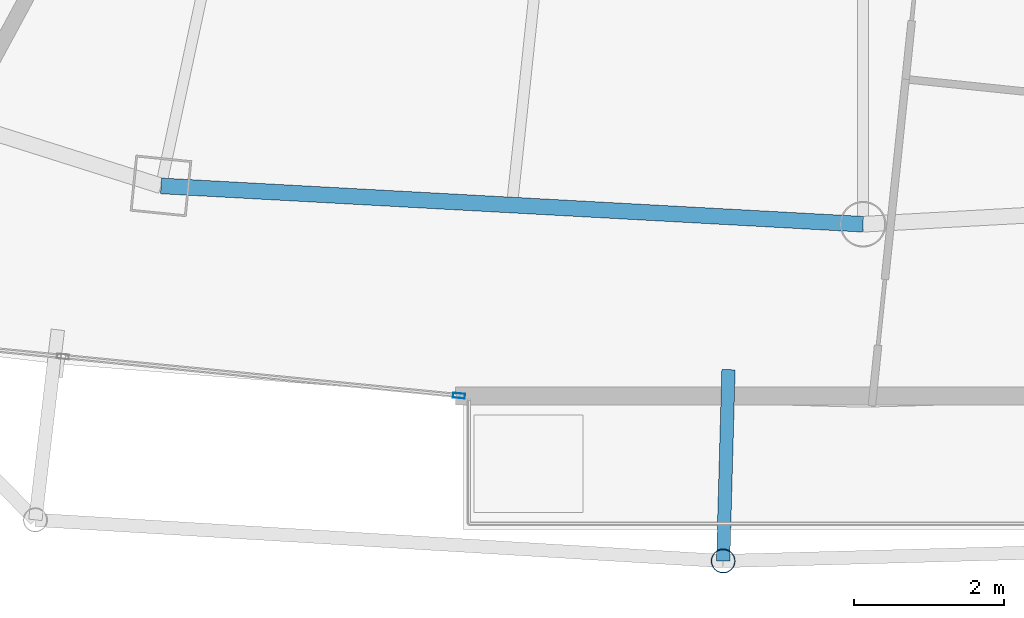
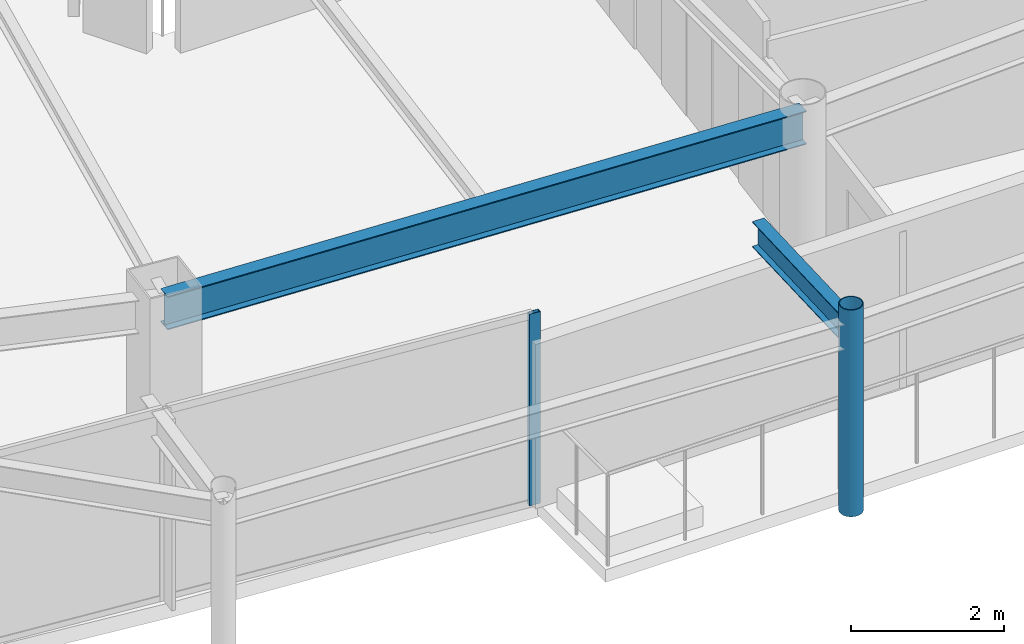
# One storey, part 8 of 34: 2 beams, 2 members, 1 element without a shape of its own.
"""IFC4 building model written with IfcOpenShell, lengths in metres."""

from ifc_helpers import new_model, si_unit, direction, frame, origin, origin_2d, place, context, subcontext, project, spatial, hollow_rectangle, hollow_circle, i_section, extrude, material, layer, layer_set, material_profile, profile_set, type_object, element, aggregate, save


model = new_model("IFC4")

# Units and contexts
model_context = context("Model", 3, precision=1e-05, world=origin(), true_north=direction((0.0, 1.0)))
body_context = subcontext(model_context, "Body", "Model", "MODEL_VIEW")
ifc_project = project(units=[si_unit("LENGTHUNIT", "METRE"), si_unit("AREAUNIT", "SQUARE_METRE"), si_unit("VOLUMEUNIT", "CUBIC_METRE"), si_unit("PLANEANGLEUNIT", "RADIAN"), si_unit("MASSUNIT", "GRAM", prefix="KILO")], contexts=[model_context])

# Site, building, storey
site_placement = place(None, origin())
site = spatial("IfcSite", under=ifc_project, at=site_placement, CompositionType="ELEMENT")
building_placement = place(site_placement, origin())
building = spatial("IfcBuilding", under=site, at=building_placement, Name="Orvanel Arch Residences", CompositionType="ELEMENT")
storey_placement = place(building_placement, frame((0.0, 0.0, 199.699951171875)))
storey = spatial("IfcBuildingStorey", under=building, at=storey_placement, Name="L56", CompositionType="ELEMENT", Elevation=199.699951171875)

# Curtain wall, member
ifc_material_1 = material(Name="Bronze-anodised aluminium AA6063-T6", Category="aluminium")
ifc_layer = layer(ifc_material_1, 0.175048828125)
ifc_layer_set = layer_set([ifc_layer], Name="Bronze-anodised aluminium AA6063-T6")
curtain_wall_type = type_object("IfcCurtainWallType", Name="CW4-HI-SYS", PredefinedType="NOTDEFINED", material=ifc_layer_set)
curtain_wall_placement = place(storey_placement, origin())
curtain_wall = element("IfcCurtainWall", 1, at=curtain_wall_placement, inside=storey, type_object=curtain_wall_type, Name="L56 CW4-HI-SYS Unitised Curtain Wall", PredefinedType="NOTDEFINED")
ifc_material_profile_1 = material_profile(ifc_material_1, hollow_rectangle(XDim=0.06494140625, YDim=0.159912109375, WallThickness=0.00390625, at=origin_2d()), Name="ALU160x65x4")
ifc_profile_set_1 = profile_set([ifc_material_profile_1], Name="Bronze-anodised aluminium AA6063-T6")
member_type_1 = type_object("IfcMemberType", Name="MUL-160x65", PredefinedType="MULLION", material=ifc_profile_set_1)
member_1_placement = place(storey_placement, frame((27.61865234375, 4.560302734375, 0.0), z_axis=(0.0, 0.0, 1.0), x_axis=(0.098417861591, 0.99514517761, 0.0)))
member_1 = element("IfcMember", 2, at=member_1_placement, type_object=member_type_1, Name="CW-S4 mullion 3", PredefinedType="MULLION", context=body_context, shape_type="SweptSolid", body=[
    extrude(hollow_rectangle(XDim=0.06494140625, YDim=0.159912109375, WallThickness=0.00390625, at=origin_2d()), origin(), (0.0, 0.0, 1.0), 3.06005859375),
])
aggregate(curtain_wall, [member_1])

# Beams
ifc_material_2 = material(Name="Structural steel AS/NZS 3679.1 Grade 300 (300 MPa)", Category="steel")
ifc_material_profile_2 = material_profile(ifc_material_2, i_section(OverallWidth=0.177978515625, OverallDepth=0.406005859375, WebThickness=0.0078125, FlangeThickness=0.0126953125, at=origin_2d()), Name="410UB59.7")
ifc_profile_set_2 = profile_set([ifc_material_profile_2], Name="Structural steel AS/NZS 3679.1 Grade 300 (300 MPa)")
beam_type_1 = type_object("IfcBeamType", Name="OB-410UB-EXT", PredefinedType="SPANDREL", material=ifc_profile_set_2)
beam_1_placement = place(storey_placement, frame((31.2080078125, 4.906982421875, 2.85693359375), z_axis=(-0.027860075025, -0.999611832773, 0.0), x_axis=(0.999611832773, -0.027860075025, 0.0)))
element("IfcBeam", 3, at=beam_1_placement, inside=storey, type_object=beam_type_1, Name="L56 Outer Frame Radial Tie Beam 06", PredefinedType="SPANDREL", context=body_context, shape_type="SweptSolid", body=[
    extrude(i_section(OverallWidth=0.177978515625, OverallDepth=0.406005859375, WebThickness=0.0078125, FlangeThickness=0.0126953125, at=origin_2d()), origin(), (0.0, 0.0, 1.0), 2.550048828125),
])
ifc_material_profile_3 = material_profile(ifc_material_2, i_section(OverallWidth=0.208984375, OverallDepth=0.532958984375, WebThickness=0.01025390625, FlangeThickness=0.015625, at=origin_2d()), Name="530UB92.4")
ifc_profile_set_3 = profile_set([ifc_material_profile_3], Name="Structural steel AS/NZS 3679.1 Grade 300 (300 MPa)")
beam_type_2 = type_object("IfcBeamType", Name="SP-530UB", PredefinedType="SPANDREL", material=ifc_profile_set_3)
beam_2_placement = place(storey_placement, frame((23.64892578125, 7.35498046875, 2.79296875), z_axis=(0.998510315598, -0.054563262768, 0.0), x_axis=(0.054563262768, 0.998510315598, 0.0)))
element("IfcBeam", 4, at=beam_2_placement, inside=storey, type_object=beam_type_2, Name="L56 Perimeter Spandrel Beam 03", PredefinedType="SPANDREL", context=body_context, shape_type="SweptSolid", body=[
    extrude(i_section(OverallWidth=0.208984375, OverallDepth=0.532958984375, WebThickness=0.01025390625, FlangeThickness=0.015625, at=origin_2d()), origin(), (0.0, 0.0, 1.0), 9.364990234375),
])

# Member
ifc_material_3 = material(Name="Structural steel AS/NZS 1163 C350L0 (Grade 350)", Category="steel")
ifc_material_profile_4 = material_profile(ifc_material_3, hollow_circle(Radius=0.162109375, WallThickness=0.0126953125, at=origin_2d()), Name="CHS324x12.7")
ifc_profile_set_4 = profile_set([ifc_material_profile_4], Name="Structural steel AS/NZS 1163 C350L0 (Grade 350)")
member_type_2 = type_object("IfcMemberType", Name="ST-324CHS-EXT", PredefinedType="STRUT", material=ifc_profile_set_4)
member_2_placement = place(storey_placement, frame((31.136962890625, 2.35791015625, 0.0), z_axis=(0.0, 0.0, 1.0), x_axis=(1.0, 0.0, 0.0)))
element("IfcMember", 5, at=member_2_placement, inside=storey, type_object=member_type_2, Name="L56 Outer Perimeter Frame Post 06", PredefinedType="STRUT", context=body_context, shape_type="SweptSolid", body=[
    extrude(hollow_circle(Radius=0.162109375, WallThickness=0.0126953125, at=origin_2d()), origin(), (0.0, 0.0, 1.0), 3.300048828125),
])

save(model, "model.ifc")
